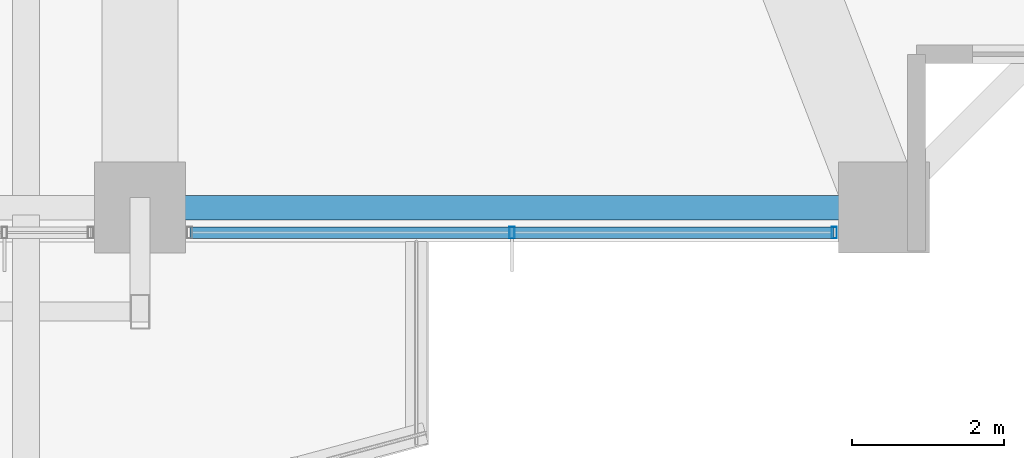
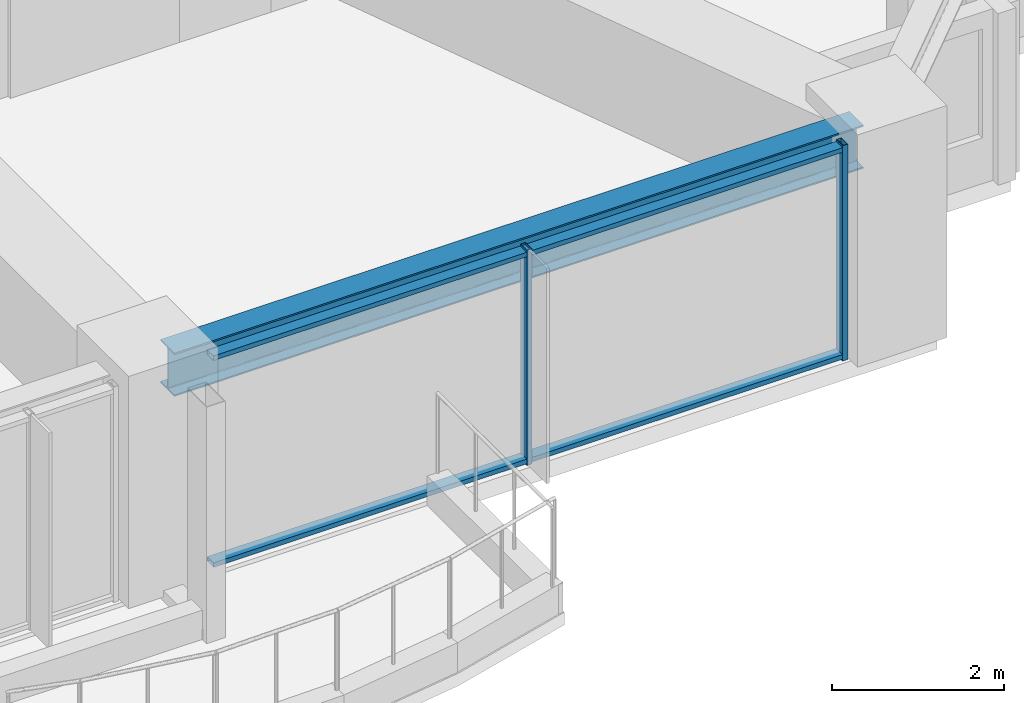
# One storey, part 10 of 37: 4 members, 1 beam, 1 element without a shape of its own.
"""IFC4 building model written with IfcOpenShell, lengths in metres."""

from ifc_helpers import new_model, si_unit, direction, frame, origin, origin_2d, place, context, subcontext, project, spatial, hollow_rectangle, i_section, extrude, material, material_profile, profile_set, type_object, element, aggregate, save


model = new_model("IFC4")

# Units and contexts
model_context = context("Model", 3, precision=1e-05, world=origin(), true_north=direction((0.0, 1.0)))
body_context = subcontext(model_context, "Body", "Model", "MODEL_VIEW")
ifc_project = project(units=[si_unit("LENGTHUNIT", "METRE"), si_unit("AREAUNIT", "SQUARE_METRE"), si_unit("VOLUMEUNIT", "CUBIC_METRE"), si_unit("PLANEANGLEUNIT", "RADIAN"), si_unit("MASSUNIT", "GRAM", prefix="KILO")], contexts=[model_context])

# Site, building, storey
site_placement = place(None, origin())
site = spatial("IfcSite", under=ifc_project, at=site_placement, CompositionType="ELEMENT")
building_placement = place(site_placement, origin())
building = spatial("IfcBuilding", under=site, at=building_placement, Name="Kolvaren Belvedere", CompositionType="ELEMENT")
storey_placement = place(building_placement, frame((0.0, 0.0, 43.60009765625)))
storey = spatial("IfcBuildingStorey", under=building, at=storey_placement, Name="L12", CompositionType="ELEMENT", Elevation=43.60009765625)

# Beam
ifc_material_1 = material(Name="Structural steel ASTM A992 Grade 50", Category="steel")
ifc_material_profile_1 = material_profile(ifc_material_1, i_section(OverallWidth=0.324951171875, OverallDepth=0.615966796875, WebThickness=0.013916015625, FlangeThickness=0.021484375, FilletRadius=0.02001953125, at=origin_2d()), Name="W24X117")
ifc_profile_set_1 = profile_set([ifc_material_profile_1], Name="Structural steel ASTM A992 Grade 50")
beam_type = type_object("IfcBeamType", Name="BM-SPAN-W24X117", PredefinedType="SPANDREL", material=ifc_profile_set_1)
beam_placement = place(storey_placement, frame((4.8701171875, -21.550048828125, 2.751953125), z_axis=(1.0, 0.0, 0.0), x_axis=(0.0, 1.0, 0.0)))
element("IfcBeam", 1, at=beam_placement, inside=storey, type_object=beam_type, Name="L12 Perimeter Spandrel S3-S4", PredefinedType="SPANDREL", context=body_context, shape_type="SweptSolid", body=[
    extrude(i_section(OverallWidth=0.324951171875, OverallDepth=0.615966796875, WebThickness=0.013916015625, FlangeThickness=0.021484375, FilletRadius=0.02001953125, at=origin_2d()), origin(), (0.0, 0.0, 1.0), 9.259765625),
])

# Curtain wall, members
ifc_material_2 = material(Name="Anodised pale-metal aluminium AA 6063-T6", Category="aluminium")
curtain_wall_type = type_object("IfcCurtainWallType", Name="CW-Z1-LOW", PredefinedType="NOTDEFINED", material=ifc_material_2)
curtain_wall_placement = place(storey_placement, origin())
curtain_wall = element("IfcCurtainWall", 2, at=curtain_wall_placement, inside=storey, type_object=curtain_wall_type, Name="L12 Unitised Curtain Wall FCW-L12-S1-B1", PredefinedType="NOTDEFINED")
ifc_material_3 = material(Name="Anodised pale-metal aluminium AA 6063-T6", Category="aluminium")
ifc_material_profile_2 = material_profile(ifc_material_3, hollow_rectangle(XDim=0.070068359375, YDim=0.14990234375, WallThickness=0.004150390625, at=origin_2d()), Name="ALU-MUL-150X70")
ifc_profile_set_2 = profile_set([ifc_material_profile_2], Name="Anodised pale-metal aluminium AA 6063-T6")
member_type_1 = type_object("IfcMemberType", Name="CW-MUL-150", PredefinedType="MULLION", material=ifc_profile_set_2)
member_1_placement = place(storey_placement, frame((13.7451171875, -21.8798828125, 0.0), z_axis=(0.0, 0.0, 1.0), x_axis=(1.0, 0.0, 0.0)))
member_1 = element("IfcMember", 3, at=member_1_placement, type_object=member_type_1, Name="FCW-L12-S1-B1 Unitised Mullion 1", PredefinedType="MULLION", context=body_context, shape_type="SweptSolid", body=[
    extrude(hollow_rectangle(XDim=0.070068359375, YDim=0.14990234375, WallThickness=0.004150390625, at=origin_2d()), origin(), (0.0, 0.0, 1.0), 3.059814453125),
])
member_2_placement = place(storey_placement, frame((9.5, -21.8798828125, 0.0), z_axis=(0.0, 0.0, 1.0), x_axis=(1.0, 0.0, 0.0)))
member_2 = element("IfcMember", 4, at=member_2_placement, type_object=member_type_1, Name="FCW-L12-S1-B1 Unitised Mullion 2", PredefinedType="MULLION", context=body_context, shape_type="SweptSolid", body=[
    extrude(hollow_rectangle(XDim=0.070068359375, YDim=0.14990234375, WallThickness=0.004150390625, at=origin_2d()), origin(), (0.0, 0.0, 1.0), 3.059814453125),
])
ifc_material_4 = material(Name="Anodised pale-metal aluminium AA 6063-T6", Category="aluminium")
ifc_material_profile_3 = material_profile(ifc_material_4, hollow_rectangle(XDim=0.06494140625, YDim=0.14990234375, WallThickness=0.00390625, at=origin_2d()), Name="ALU-TRN-150X65")
ifc_profile_set_3 = profile_set([ifc_material_profile_3], Name="Anodised pale-metal aluminium AA 6063-T6")
member_type_2 = type_object("IfcMemberType", Name="CW-TRN-150", PredefinedType="USERDEFINED", material=ifc_profile_set_3)
member_3_placement = place(storey_placement, frame((13.7451171875, -21.8798828125, 0.059814453125), z_axis=(-1.0, 0.0, 0.0), x_axis=(0.0, 0.0, 1.0)))
member_3 = element("IfcMember", 5, at=member_3_placement, type_object=member_type_2, Name="FCW-L12-S1-B1 Sill Transom", ObjectType="TRANSOM", PredefinedType="USERDEFINED", context=body_context, shape_type="SweptSolid", body=[
    extrude(hollow_rectangle(XDim=0.06494140625, YDim=0.14990234375, WallThickness=0.00390625, at=origin_2d()), origin(), (0.0, 0.0, 1.0), 8.490234375),
])
member_4_placement = place(storey_placement, frame((13.7451171875, -21.8798828125, 3.0), z_axis=(-1.0, 0.0, 0.0), x_axis=(0.0, 0.0, 1.0)))
member_4 = element("IfcMember", 6, at=member_4_placement, type_object=member_type_2, Name="FCW-L12-S1-B1 Head Transom", ObjectType="TRANSOM", PredefinedType="USERDEFINED", context=body_context, shape_type="SweptSolid", body=[
    extrude(hollow_rectangle(XDim=0.06494140625, YDim=0.14990234375, WallThickness=0.00390625, at=origin_2d()), origin(), (0.0, 0.0, 1.0), 8.490234375),
])
aggregate(curtain_wall, [member_1, member_2, member_3, member_4])

save(model, "model.ifc")
